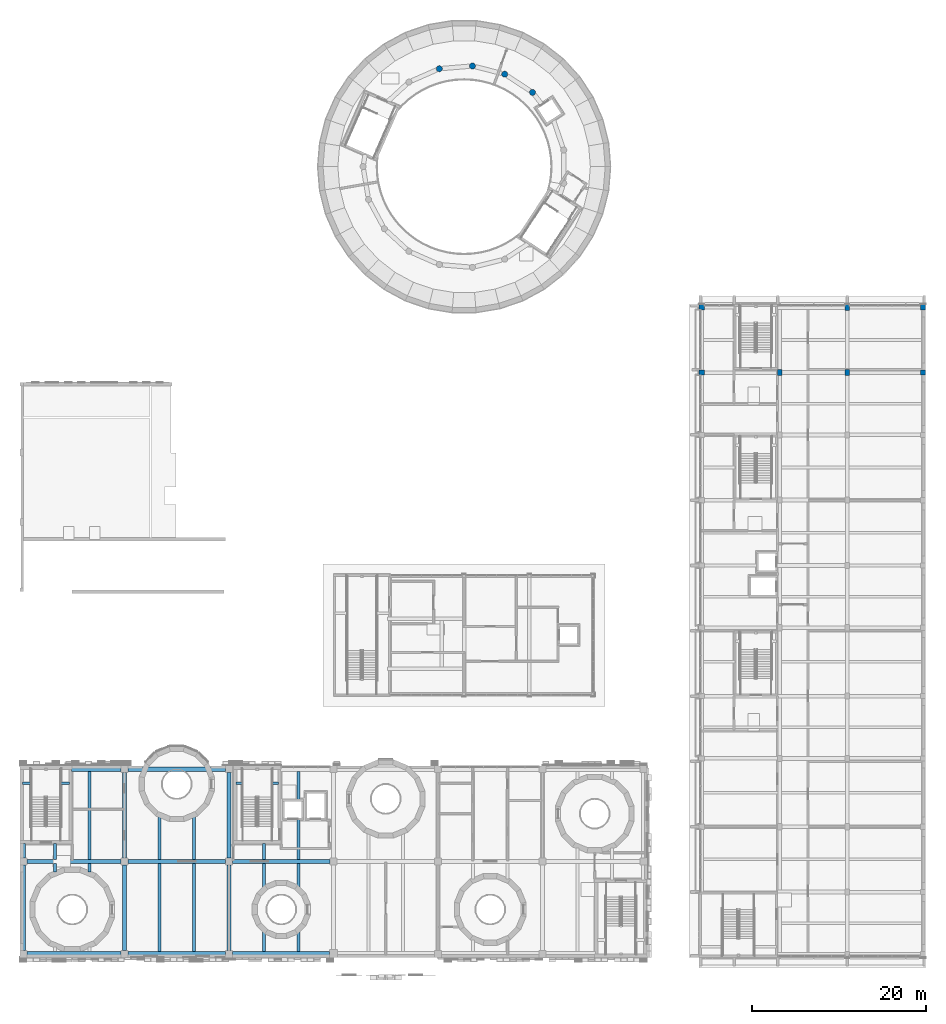
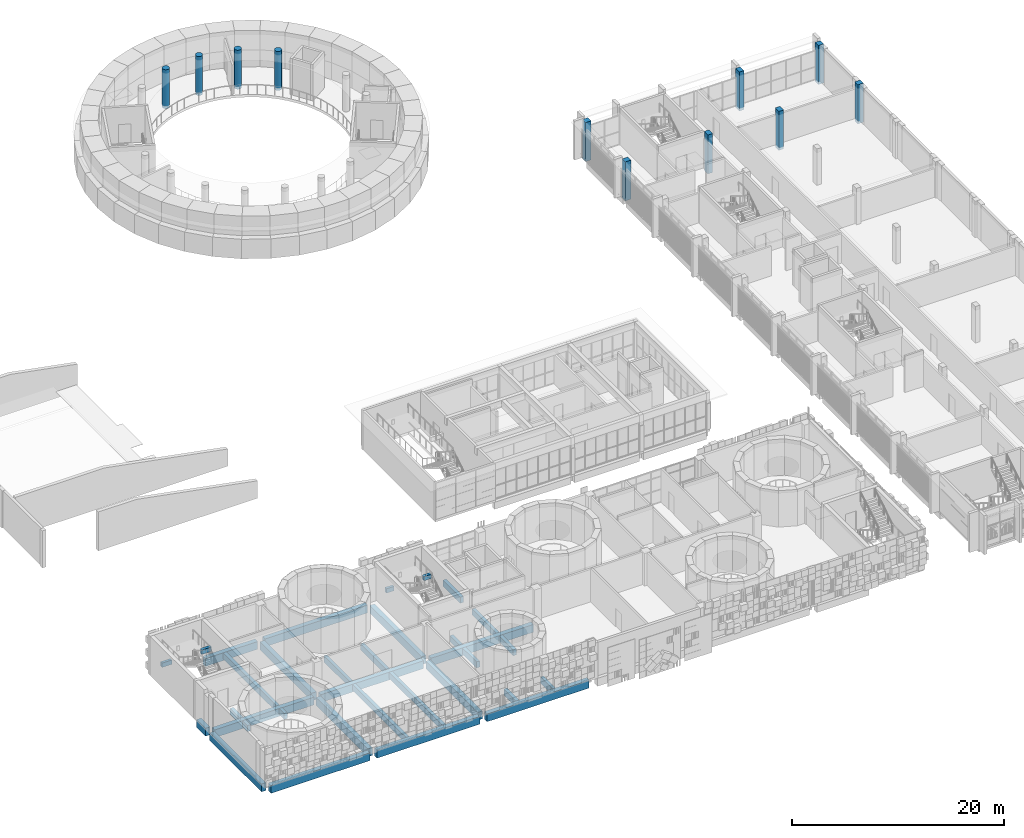
# One storey, part 2 of 92: 33 beams, 11 columns.
"""IFC4 building model written with IfcOpenShell, lengths in metres."""

from ifc_helpers import new_model, si_unit, direction, frame, origin, origin_2d, place, context, subcontext, project, spatial, rectangle, circle, extrude, material, material_profile, profile_set, type_object, element, save


model = new_model("IFC4")

# Units and contexts
model_context = context("Model", 3, precision=1e-05, world=origin(), true_north=direction((0.0, 1.0)))
body_context = subcontext(model_context, "Body", "Model", "MODEL_VIEW")
ifc_project = project(units=[si_unit("LENGTHUNIT", "METRE"), si_unit("AREAUNIT", "SQUARE_METRE"), si_unit("VOLUMEUNIT", "CUBIC_METRE"), si_unit("PLANEANGLEUNIT", "RADIAN"), si_unit("MASSUNIT", "GRAM", prefix="KILO")], contexts=[model_context])

# Site, building, storey
site_placement = place(None, origin())
site = spatial("IfcSite", under=ifc_project, at=site_placement, CompositionType="ELEMENT")
building_placement = place(site_placement, origin())
building = spatial("IfcBuilding", under=site, at=building_placement, Name="Sun Court Science Centre", CompositionType="ELEMENT")
storey_placement = place(building_placement, frame((0.0, 0.0, 11.25)))
storey = spatial("IfcBuildingStorey", under=building, at=storey_placement, Name="L02", CompositionType="ELEMENT", Elevation=11.25)

# Columns
ifc_material_1 = material(Name="Concrete C30/37", Category="concrete")
ifc_material_profile_1 = material_profile(ifc_material_1, rectangle(XDim=0.5, YDim=0.699951171875, at=origin_2d()), Name="RC 500x700")
ifc_profile_set_1 = profile_set([ifc_material_profile_1], Name="Concrete C30/37")
column_type_1 = type_object("IfcColumnType", Name="RC column 500x700", PredefinedType="COLUMN", material=ifc_profile_set_1)
for number, where, z_axis, x_axis, name in (
    (1, (87.25, 73.14990234375, -0.300048828125), (0.0, 0.0, 1.0), (1.0, 0.0, 0.0), "Column 14U L02"),
    (2, (95.0, 73.14990234375, -0.300048828125), (0.0, 0.0, 1.0), (1.0, 0.0, 0.0), "Column 15U L02"),
    (3, (95.0, 80.64990234375, -0.300048828125), (0.0, 0.0, 1.0), (1.0, 0.0, 0.0), "Column 15V L02"),
):
    element("IfcColumn", number, at=place(storey_placement, frame(where, z_axis=z_axis, x_axis=x_axis)), inside=storey, type_object=column_type_1, Name=name, PredefinedType="COLUMN", context=body_context, shape_type="SweptSolid", body=[
        extrude(rectangle(XDim=0.5, YDim=0.699951171875, at=origin_2d()), origin(), (0.0, 0.0, 1.0), 4.5),
    ])
ifc_material_2 = material(Name="Concrete C30/37", Category="concrete")
ifc_material_profile_2 = material_profile(ifc_material_2, rectangle(XDim=0.60009765625, YDim=0.60009765625, at=origin_2d()), Name="RC 600x600")
ifc_profile_set_2 = profile_set([ifc_material_profile_2], Name="Concrete C30/37")
column_type_2 = type_object("IfcColumnType", Name="RC column 600x600", PredefinedType="COLUMN", material=ifc_profile_set_2)
for number, where, z_axis, x_axis, name in (
    (4, (78.300048828125, 73.14990234375, -0.300048828125), (0.0, 0.0, 1.0), (1.0, 0.0, 0.0), "Column 12U L02"),
    (5, (78.300048828125, 80.64990234375, -0.300048828125), (0.0, 0.0, 1.0), (1.0, 0.0, 0.0), "Column 12V L02"),
    (6, (103.699951171875, 73.14990234375, -0.300048828125), (0.0, 0.0, 1.0), (1.0, 0.0, 0.0), "Column 16U L02"),
    (7, (103.699951171875, 80.64990234375, -0.300048828125), (0.0, 0.0, 1.0), (1.0, 0.0, 0.0), "Column 16V L02"),
):
    element("IfcColumn", number, at=place(storey_placement, frame(where, z_axis=z_axis, x_axis=x_axis)), inside=storey, type_object=column_type_2, Name=name, PredefinedType="COLUMN", context=body_context, shape_type="SweptSolid", body=[
        extrude(rectangle(XDim=0.60009765625, YDim=0.60009765625, at=origin_2d()), origin(), (0.0, 0.0, 1.0), 4.5),
    ])
ifc_material_3 = material(Name="Concrete C30/37", Category="concrete")
ifc_material_profile_3 = material_profile(ifc_material_3, circle(Radius=0.35009765625, at=origin_2d()), Name="RC D700")
ifc_profile_set_3 = profile_set([ifc_material_profile_3], Name="Concrete C30/37")
column_type_3 = type_object("IfcColumnType", Name="RC column D700", PredefinedType="COLUMN", material=ifc_profile_set_3)
for number, where, z_axis, x_axis, name in (
    (8, (58.8564453125, 105.33447265625, -0.300048828125), (0.0, 0.0, 1.0), (1.0, 0.0, 0.0), "Column B03 L02"),
    (9, (55.65966796875, 107.4228515625, -0.300048828125), (0.0, 0.0, 1.0), (1.0, 0.0, 0.0), "Column B04 L02"),
    (10, (51.9580078125, 108.3603515625, -0.300048828125), (0.0, 0.0, 1.0), (1.0, 0.0, 0.0), "Column B05 L02"),
    (11, (48.15234375, 108.044921875, -0.300048828125), (0.0, 0.0, 1.0), (1.0, 0.0, 0.0), "Column B06 L02"),
):
    element("IfcColumn", number, at=place(storey_placement, frame(where, z_axis=z_axis, x_axis=x_axis)), inside=storey, type_object=column_type_3, Name=name, PredefinedType="COLUMN", context=body_context, shape_type="SweptSolid", body=[
        extrude(circle(Radius=0.35009765625, at=origin_2d()), origin(), (0.0, 0.0, 1.0), 4.5),
    ])

# Beams
ifc_material_4 = material(Name="Concrete C25/30", Category="concrete")
ifc_material_profile_4 = material_profile(ifc_material_4, rectangle(XDim=0.5, YDim=0.89990234375, at=origin_2d()), Name="RC 500x900")
ifc_profile_set_4 = profile_set([ifc_material_profile_4], Name="Concrete C25/30")
beam_type_1 = type_object("IfcBeamType", Name="RC girder 500x900", PredefinedType="BEAM", material=ifc_profile_set_4)
beam_1_placement = place(storey_placement, frame((0.800048828125, 6.39990234375, -0.75), z_axis=(1.0, 0.0, 0.0), x_axis=(0.0, 1.0, 0.0)))
element("IfcBeam", 12, at=beam_1_placement, inside=storey, type_object=beam_type_1, Name="Girder L02 line 1", PredefinedType="BEAM", context=body_context, shape_type="SweptSolid", body=[
    extrude(rectangle(XDim=0.5, YDim=0.89990234375, at=origin_2d()), origin(), (0.0, 0.0, 1.0), 10.800048828125),
])
beam_2_placement = place(storey_placement, frame((12.39990234375, 6.39990234375, -0.75), z_axis=(1.0, 0.0, 0.0), x_axis=(0.0, 1.0, 0.0)))
element("IfcBeam", 13, at=beam_2_placement, inside=storey, type_object=beam_type_1, Name="Girder L02 line 1", PredefinedType="BEAM", context=body_context, shape_type="SweptSolid", body=[
    extrude(rectangle(XDim=0.5, YDim=0.89990234375, at=origin_2d()), origin(), (0.0, 0.0, 1.0), 11.2001953125),
])
beam_3_placement = place(storey_placement, frame((24.39990234375, 6.39990234375, -0.75), z_axis=(1.0, 0.0, 0.0), x_axis=(0.0, 1.0, 0.0)))
element("IfcBeam", 14, at=beam_3_placement, inside=storey, type_object=beam_type_1, Name="Girder L02 line 1", PredefinedType="BEAM", context=body_context, shape_type="SweptSolid", body=[
    extrude(rectangle(XDim=0.5, YDim=0.89990234375, at=origin_2d()), origin(), (0.0, 0.0, 1.0), 11.150146484375),
])
beam_4_placement = place(storey_placement, frame((0.800048828125, 17.0, -0.75), z_axis=(1.0, 0.0, 0.0), x_axis=(0.0, 1.0, 0.0)))
element("IfcBeam", 15, at=beam_4_placement, inside=storey, type_object=beam_type_1, Name="Girder L02 line 2", PredefinedType="BEAM", context=body_context, shape_type="SweptSolid", body=[
    extrude(rectangle(XDim=0.5, YDim=0.89990234375, at=origin_2d()), origin(), (0.0, 0.0, 1.0), 10.800048828125),
])
for number, where, z_axis, x_axis, name in (
    (16, (12.39990234375, 17.0, -0.75), (1.0, 0.0, 0.0), (0.0, 1.0, 0.0), "Girder L02 line 2"),
    (17, (24.39990234375, 17.0, -0.75), (1.0, 0.0, 0.0), (0.0, 1.0, 0.0), "Girder L02 line 2"),
):
    element("IfcBeam", number, at=place(storey_placement, frame(where, z_axis=z_axis, x_axis=x_axis)), inside=storey, type_object=beam_type_1, Name=name, PredefinedType="BEAM", context=body_context, shape_type="SweptSolid", body=[
        extrude(rectangle(XDim=0.5, YDim=0.89990234375, at=origin_2d()), origin(), (0.0, 0.0, 1.0), 11.2001953125),
    ])
beam_5_placement = place(storey_placement, frame((5.89990234375, 27.60009765625, -0.75), z_axis=(1.0, 0.0, 0.0), x_axis=(0.0, 1.0, 0.0)))
element("IfcBeam", 18, at=beam_5_placement, inside=storey, type_object=beam_type_1, Name="Girder L02 line 3", PredefinedType="BEAM", context=body_context, shape_type="SweptSolid", body=[
    extrude(rectangle(XDim=0.5, YDim=0.89990234375, at=origin_2d()), origin(), (0.0, 0.0, 1.0), 5.7001953125),
])
beam_6_placement = place(storey_placement, frame((12.39990234375, 27.60009765625, -0.75), z_axis=(1.0, 0.0, 0.0), x_axis=(0.0, 1.0, 0.0)))
element("IfcBeam", 19, at=beam_6_placement, inside=storey, type_object=beam_type_1, Name="Girder L02 line 3", PredefinedType="BEAM", context=body_context, shape_type="SweptSolid", body=[
    extrude(rectangle(XDim=0.5, YDim=0.89990234375, at=origin_2d()), origin(), (0.0, 0.0, 1.0), 11.2001953125),
])
beam_7_placement = place(storey_placement, frame((0.39990234375, 6.800048828125, -0.75), z_axis=(0.0, 1.0, 0.0), x_axis=(-1.0, 0.0, 0.0)))
element("IfcBeam", 20, at=beam_7_placement, inside=storey, type_object=beam_type_1, Name="Girder L02 line A", PredefinedType="BEAM", context=body_context, shape_type="SweptSolid", body=[
    extrude(rectangle(XDim=0.5, YDim=0.89990234375, at=origin_2d()), origin(), (0.0, 0.0, 1.0), 9.800048828125),
])
beam_8_placement = place(storey_placement, frame((0.39990234375, 17.39990234375, -0.75), z_axis=(0.0, 1.0, 0.0), x_axis=(-1.0, 0.0, 0.0)))
element("IfcBeam", 21, at=beam_8_placement, inside=storey, type_object=beam_type_1, Name="Girder L02 line A", PredefinedType="BEAM", context=body_context, shape_type="SweptSolid", body=[
    extrude(rectangle(XDim=0.5, YDim=0.89990234375, at=origin_2d()), origin(), (0.0, 0.0, 1.0), 1.7001953125),
])
for number, where, z_axis, x_axis, name in (
    (22, (12.0, 6.800048828125, -0.75), (0.0, 1.0, 0.0), (-1.0, 0.0, 0.0), "Girder L02 line B"),
    (23, (12.0, 17.39990234375, -0.75), (0.0, 1.0, 0.0), (-1.0, 0.0, 0.0), "Girder L02 line B"),
    (24, (24.0, 6.800048828125, -0.75), (0.0, 1.0, 0.0), (-1.0, 0.0, 0.0), "Girder L02 line C"),
    (25, (24.0, 17.39990234375, -0.75), (0.0, 1.0, 0.0), (-1.0, 0.0, 0.0), "Girder L02 line C"),
):
    element("IfcBeam", number, at=place(storey_placement, frame(where, z_axis=z_axis, x_axis=x_axis)), inside=storey, type_object=beam_type_1, Name=name, PredefinedType="BEAM", context=body_context, shape_type="SweptSolid", body=[
        extrude(rectangle(XDim=0.5, YDim=0.89990234375, at=origin_2d()), origin(), (0.0, 0.0, 1.0), 9.800048828125),
    ])
ifc_material_5 = material(Name="Concrete C25/30", Category="concrete")
ifc_material_profile_5 = material_profile(ifc_material_5, rectangle(XDim=0.35009765625, YDim=0.699951171875, at=origin_2d()), Name="RC 350x700")
ifc_profile_set_5 = profile_set([ifc_material_profile_5], Name="Concrete C25/30")
beam_type_2 = type_object("IfcBeamType", Name="RC joist 350x700", PredefinedType="JOIST", material=ifc_profile_set_5)
beam_9_placement = place(storey_placement, frame((4.0, 15.818115234375, -0.64990234375), z_axis=(0.0, 1.0, 0.0), x_axis=(-1.0, 0.0, 0.0)))
element("IfcBeam", 26, at=beam_9_placement, inside=storey, type_object=beam_type_2, Name="Joist L02", PredefinedType="JOIST", context=body_context, shape_type="SweptSolid", body=[
    extrude(rectangle(XDim=0.35009765625, YDim=0.699951171875, at=origin_2d()), origin(), (0.0, 0.0, 1.0), 0.931884765625),
])
beam_10_placement = place(storey_placement, frame((4.0, 17.25, -0.64990234375), z_axis=(0.0, 1.0, 0.0), x_axis=(-1.0, 0.0, 0.0)))
element("IfcBeam", 27, at=beam_10_placement, inside=storey, type_object=beam_type_2, Name="Joist L02", PredefinedType="JOIST", context=body_context, shape_type="SweptSolid", body=[
    extrude(rectangle(XDim=0.35009765625, YDim=0.699951171875, at=origin_2d()), origin(), (0.0, 0.0, 1.0), 1.85009765625),
])
beam_11_placement = place(storey_placement, frame((8.0, 15.818115234375, -0.64990234375), z_axis=(0.0, 1.0, 0.0), x_axis=(-1.0, 0.0, 0.0)))
element("IfcBeam", 28, at=beam_11_placement, inside=storey, type_object=beam_type_2, Name="Joist L02", PredefinedType="JOIST", context=body_context, shape_type="SweptSolid", body=[
    extrude(rectangle(XDim=0.35009765625, YDim=0.699951171875, at=origin_2d()), origin(), (0.0, 0.0, 1.0), 0.931884765625),
])
for number, where, z_axis, x_axis, name in (
    (29, (8.0, 17.25, -0.64990234375), (0.0, 1.0, 0.0), (-1.0, 0.0, 0.0), "Joist L02"),
    (30, (16.0, 6.64990234375, -0.64990234375), (0.0, 1.0, 0.0), (-1.0, 0.0, 0.0), "Joist L02"),
):
    element("IfcBeam", number, at=place(storey_placement, frame(where, z_axis=z_axis, x_axis=x_axis)), inside=storey, type_object=beam_type_2, Name=name, PredefinedType="JOIST", context=body_context, shape_type="SweptSolid", body=[
        extrude(rectangle(XDim=0.35009765625, YDim=0.699951171875, at=origin_2d()), origin(), (0.0, 0.0, 1.0), 10.10009765625),
    ])
beam_12_placement = place(storey_placement, frame((16.0, 17.25, -0.64990234375), z_axis=(0.0, 1.0, 0.0), x_axis=(-1.0, 0.0, 0.0)))
element("IfcBeam", 31, at=beam_12_placement, inside=storey, type_object=beam_type_2, Name="Joist L02", PredefinedType="JOIST", context=body_context, shape_type="SweptSolid", body=[
    extrude(rectangle(XDim=0.35009765625, YDim=0.699951171875, at=origin_2d()), origin(), (0.0, 0.0, 1.0), 4.915771484375),
])
beam_13_placement = place(storey_placement, frame((20.0, 6.64990234375, -0.64990234375), z_axis=(0.0, 1.0, 0.0), x_axis=(-1.0, 0.0, 0.0)))
element("IfcBeam", 32, at=beam_13_placement, inside=storey, type_object=beam_type_2, Name="Joist L02", PredefinedType="JOIST", context=body_context, shape_type="SweptSolid", body=[
    extrude(rectangle(XDim=0.35009765625, YDim=0.699951171875, at=origin_2d()), origin(), (0.0, 0.0, 1.0), 10.10009765625),
])
beam_14_placement = place(storey_placement, frame((20.0, 17.25, -0.64990234375), z_axis=(0.0, 1.0, 0.0), x_axis=(-1.0, 0.0, 0.0)))
element("IfcBeam", 33, at=beam_14_placement, inside=storey, type_object=beam_type_2, Name="Joist L02", PredefinedType="JOIST", context=body_context, shape_type="SweptSolid", body=[
    extrude(rectangle(XDim=0.35009765625, YDim=0.699951171875, at=origin_2d()), origin(), (0.0, 0.0, 1.0), 4.915771484375),
])
beam_15_placement = place(storey_placement, frame((28.0, 6.64990234375, -0.64990234375), z_axis=(0.0, 1.0, 0.0), x_axis=(-1.0, 0.0, 0.0)))
element("IfcBeam", 34, at=beam_15_placement, inside=storey, type_object=beam_type_2, Name="Joist L02", PredefinedType="JOIST", context=body_context, shape_type="SweptSolid", body=[
    extrude(rectangle(XDim=0.35009765625, YDim=0.699951171875, at=origin_2d()), origin(), (0.0, 0.0, 1.0), 2.275634765625),
])
beam_16_placement = place(storey_placement, frame((28.0, 14.074462890625, -0.64990234375), z_axis=(0.0, 1.0, 0.0), x_axis=(-1.0, 0.0, 0.0)))
element("IfcBeam", 35, at=beam_16_placement, inside=storey, type_object=beam_type_2, Name="Joist L02", PredefinedType="JOIST", context=body_context, shape_type="SweptSolid", body=[
    extrude(rectangle(XDim=0.35009765625, YDim=0.699951171875, at=origin_2d()), origin(), (0.0, 0.0, 1.0), 2.675537109375),
])
beam_17_placement = place(storey_placement, frame((28.0, 17.25, -0.64990234375), z_axis=(0.0, 1.0, 0.0), x_axis=(-1.0, 0.0, 0.0)))
element("IfcBeam", 36, at=beam_17_placement, inside=storey, type_object=beam_type_2, Name="Joist L02", PredefinedType="JOIST", context=body_context, shape_type="SweptSolid", body=[
    extrude(rectangle(XDim=0.35009765625, YDim=0.699951171875, at=origin_2d()), origin(), (0.0, 0.0, 1.0), 1.85009765625),
])
beam_18_placement = place(storey_placement, frame((32.0, 6.64990234375, -0.64990234375), z_axis=(0.0, 1.0, 0.0), x_axis=(-1.0, 0.0, 0.0)))
element("IfcBeam", 37, at=beam_18_placement, inside=storey, type_object=beam_type_2, Name="Joist L02", PredefinedType="JOIST", context=body_context, shape_type="SweptSolid", body=[
    extrude(rectangle(XDim=0.35009765625, YDim=0.699951171875, at=origin_2d()), origin(), (0.0, 0.0, 1.0), 2.275634765625),
])
beam_19_placement = place(storey_placement, frame((32.0, 14.074462890625, -0.64990234375), z_axis=(0.0, 1.0, 0.0), x_axis=(-1.0, 0.0, 0.0)))
element("IfcBeam", 38, at=beam_19_placement, inside=storey, type_object=beam_type_2, Name="Joist L02", PredefinedType="JOIST", context=body_context, shape_type="SweptSolid", body=[
    extrude(rectangle(XDim=0.35009765625, YDim=0.699951171875, at=origin_2d()), origin(), (0.0, 0.0, 1.0), 2.675537109375),
])
beam_20_placement = place(storey_placement, frame((32.0, 17.25, -0.64990234375), z_axis=(0.0, 1.0, 0.0), x_axis=(-1.0, 0.0, 0.0)))
element("IfcBeam", 39, at=beam_20_placement, inside=storey, type_object=beam_type_2, Name="Joist L02", PredefinedType="JOIST", context=body_context, shape_type="SweptSolid", body=[
    extrude(rectangle(XDim=0.35009765625, YDim=0.699951171875, at=origin_2d()), origin(), (0.0, 0.0, 1.0), 4.597412109375),
])
beam_21_placement = place(storey_placement, frame((32.0, 24.072509765625, -0.64990234375), z_axis=(0.0, 1.0, 0.0), x_axis=(-1.0, 0.0, 0.0)))
element("IfcBeam", 40, at=beam_21_placement, inside=storey, type_object=beam_type_2, Name="Joist L02", PredefinedType="JOIST", context=body_context, shape_type="SweptSolid", body=[
    extrude(rectangle(XDim=0.35009765625, YDim=0.699951171875, at=origin_2d()), origin(), (0.0, 0.0, 1.0), 3.277587890625),
])
ifc_material_6 = material(Name="Concrete C25/30", Category="concrete")
ifc_material_profile_6 = material_profile(ifc_material_6, rectangle(XDim=0.300048828125, YDim=0.5, at=origin_2d()), Name="RC 300x500")
ifc_profile_set_6 = profile_set([ifc_material_profile_6], Name="Concrete C25/30")
beam_type_3 = type_object("IfcBeamType", Name="RC landing trimmer 300x500", PredefinedType="BEAM", material=ifc_profile_set_6)
for number, where, z_axis, x_axis, name in (
    (41, (5.699951171875, 26.00390625, 1.800048828125), (-1.0, 0.0, 0.0), (0.0, -1.0, 0.0), "SB1 landing 1 trimmer beam 7"),
    (42, (0.300048828125, 26.00390625, 1.800048828125), (1.0, 0.0, 0.0), (0.0, 1.0, 0.0), "SB1 landing 1 trimmer beam 8"),
):
    element("IfcBeam", number, at=place(storey_placement, frame(where, z_axis=z_axis, x_axis=x_axis)), inside=storey, type_object=beam_type_3, Name=name, PredefinedType="BEAM", context=body_context, shape_type="SweptSolid", body=[
        extrude(rectangle(XDim=0.300048828125, YDim=0.5, at=origin_2d()), origin(), (0.0, 0.0, 1.0), 1.06689453125),
    ])
for number, where, z_axis, x_axis, name in (
    (43, (29.699951171875, 26.00390625, 1.800048828125), (-1.0, 0.0, 0.0), (0.0, -1.0, 0.0), "SB2 landing 1 trimmer beam 7"),
    (44, (24.800048828125, 26.00390625, 1.800048828125), (1.0, 0.0, 0.0), (0.0, 1.0, 0.0), "SB2 landing 1 trimmer beam 8"),
):
    element("IfcBeam", number, at=place(storey_placement, frame(where, z_axis=z_axis, x_axis=x_axis)), inside=storey, type_object=beam_type_3, Name=name, PredefinedType="BEAM", context=body_context, shape_type="SweptSolid", body=[
        extrude(rectangle(XDim=0.300048828125, YDim=0.5, at=origin_2d()), origin(), (0.0, 0.0, 1.0), 0.81689453125),
    ])

save(model, "model.ifc")
